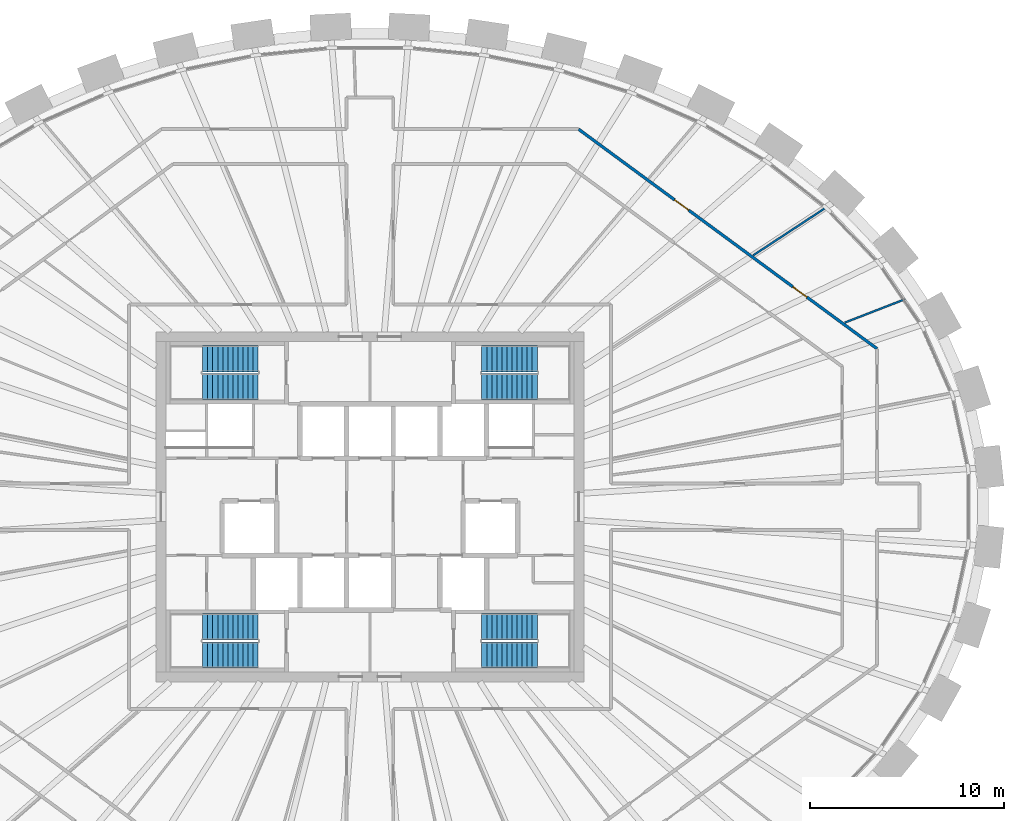
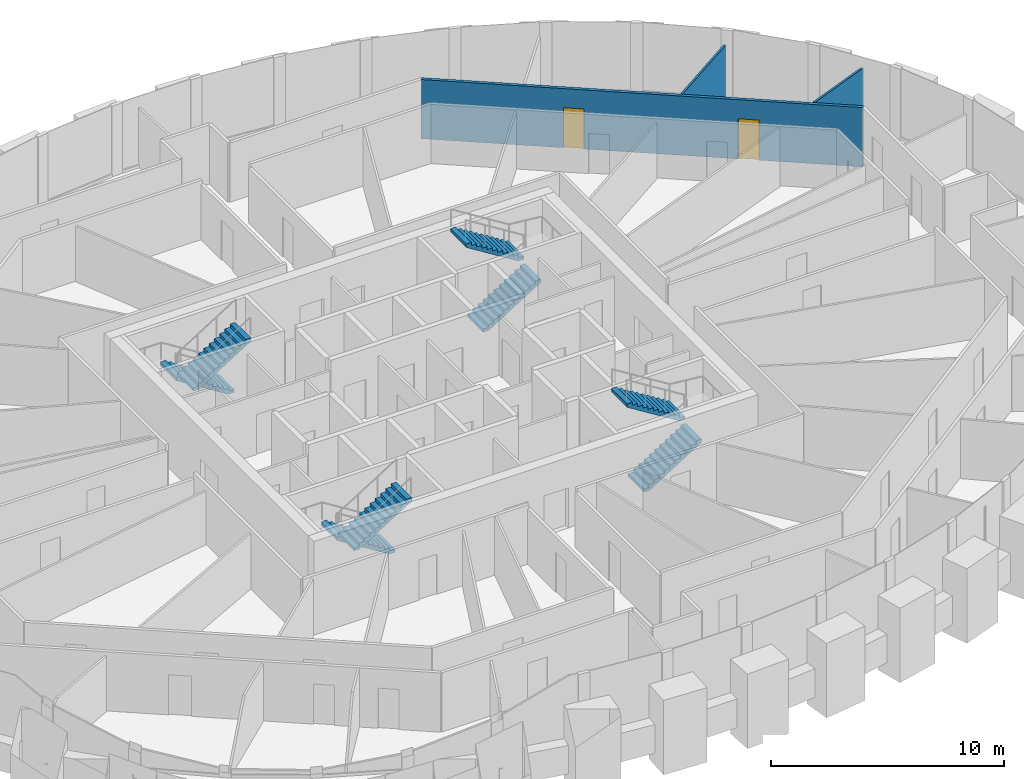
# One storey, part 11 of 12: 8 stair flights, 3 walls, 2 doors, 2 openings, 4 elements without a shape of their own.
"""IFC4 building model written with IfcOpenShell, lengths in metres."""

from ifc_helpers import new_model, si_unit, direction, frame, frame_2d, origin, place, context, subcontext, project, spatial, polyline, rectangle, outline, extrude, source, transform, mapped, material, layer, layer_set, type_object, element, fill, aggregate, save


model = new_model("IFC4")

# Units and contexts
model_context = context("Model", 3, precision=1e-05, world=origin(), true_north=direction((0.0, 1.0)))
body_context = subcontext(model_context, "Body", "Model", "MODEL_VIEW")
ifc_project = project(units=[si_unit("LENGTHUNIT", "METRE"), si_unit("AREAUNIT", "SQUARE_METRE"), si_unit("VOLUMEUNIT", "CUBIC_METRE"), si_unit("PLANEANGLEUNIT", "RADIAN"), si_unit("MASSUNIT", "GRAM", prefix="KILO")], contexts=[model_context])

# Site, building, storey
site_placement = place(None, origin())
site = spatial("IfcSite", under=ifc_project, at=site_placement, CompositionType="ELEMENT")
building_placement = place(site_placement, origin())
building = spatial("IfcBuilding", under=site, at=building_placement, Name="Embergate Tower", CompositionType="ELEMENT")
storey_placement = place(building_placement, frame((0.0, 0.0, 281.199951171875)))
storey = spatial("IfcBuildingStorey", under=building, at=storey_placement, Name="L65", CompositionType="ELEMENT", Elevation=281.199951171875)

# Wall, openings, doors
ifc_material_1 = material(Name="Corridor wall dry-lined 150 wet")
ifc_layer_1 = layer(ifc_material_1, 0.14990234375)
ifc_layer_set_1 = layer_set([ifc_layer_1], Name="Corridor wall dry-lined 150 wet")
wall_type_1 = type_object("IfcWallType", Name="Corridor wall dry-lined 150 wet", PredefinedType="PLUMBINGWALL", material=ifc_layer_set_1)
shared_shape_1 = source(origin(), body_context, "Body", "SweptSolid", [
    extrude(rectangle(XDim=19.072265625, YDim=0.14990234375, at=frame_2d((9.5361328125, 0.0))), origin(), (0.0, 0.0, 1.0), 3.10009765625),
])
wall_1_placement = place(storey_placement, frame((26.096923828125, 8.1298828125, 0.0), z_axis=(0.0, 0.0, 1.0), x_axis=(-0.805618847725, 0.592434192287, 0.0)))
wall_1 = element("IfcWall", 1, at=wall_1_placement, inside=storey, type_object=wall_type_1, Name="IP-2 wall", PredefinedType="PLUMBINGWALL", context=body_context, shape_type="MappedRepresentation", body=[
    mapped(shared_shape_1, transform((0.0, 0.0, 0.0))),
])
shared_shape_2 = source(origin(), body_context, "Body", "SweptSolid", [
    extrude(rectangle(XDim=0.89990234375, YDim=2.10009765625, at=frame_2d((0.449951171875, 1.050048828125))), frame((0.0, 0.0849609375, 0.0), z_axis=(0.0, -1.0, 0.0), x_axis=(1.0, 0.0, 0.0)), (0.0, 0.0, 1.0), 0.169921875),
])
opening_1_placement = place(wall_1_placement, frame((4.489990234375, 0.0, 0.0)))
opening_1 = element("IfcOpeningElement", 2, at=opening_1_placement, cuts=wall_1, Name="Opening IF-1c", PredefinedType="OPENING", context=body_context, shape_type="MappedRepresentation", body=[
    mapped(shared_shape_2, transform((0.0, 0.0, 0.0))),
])
opening_2_placement = place(wall_1_placement, frame((12.033447265625, 0.0, 0.0)))
opening_2 = element("IfcOpeningElement", 3, at=opening_2_placement, cuts=wall_1, Name="Opening IF-1c", PredefinedType="OPENING", context=body_context, shape_type="MappedRepresentation", body=[
    mapped(shared_shape_2, transform((0.0, 0.0, 0.0))),
])
ifc_material_2 = material(Name="Escape fire door 900")
door_type = type_object("IfcDoorType", Name="Escape fire door 900", OperationType="SINGLE_SWING_LEFT", PredefinedType="DOOR", material=ifc_material_2)
shared_shape_3 = source(origin(), body_context, "Body", "SweptSolid", [
    extrude(rectangle(XDim=0.89990234375, YDim=2.10009765625, at=frame_2d((0.449951171875, 1.050048828125))), frame((0.0, 0.02490234375, 0.0), z_axis=(0.0, -1.0, 0.0), x_axis=(1.0, 0.0, 0.0)), (0.0, 0.0, 1.0), 0.050048828125),
])
door_1_placement = place(opening_1_placement, origin())
door_1 = element("IfcDoor", 4, at=door_1_placement, inside=storey, type_object=door_type, Name="IF-1 door", OperationType="SINGLE_SWING_LEFT", OverallHeight=2.10009765625, OverallWidth=0.89990234375, PredefinedType="DOOR", context=body_context, shape_type="MappedRepresentation", body=[
    mapped(shared_shape_3, transform((0.0, 0.0, 0.0))),
])
fill(opening_1, door_1)
door_2_placement = place(opening_2_placement, origin())
door_2 = element("IfcDoor", 5, at=door_2_placement, inside=storey, type_object=door_type, Name="IF-1 door", OperationType="SINGLE_SWING_RIGHT", OverallHeight=2.10009765625, OverallWidth=0.89990234375, PredefinedType="DOOR", context=body_context, shape_type="MappedRepresentation", body=[
    mapped(shared_shape_3, transform((0.0, 0.0, 0.0))),
])
fill(opening_2, door_2)

# Walls
ifc_material_3 = material(Name="Partition dry-lined 100 wet")
ifc_layer_2 = layer(ifc_material_3, 0.10009765625)
ifc_layer_set_2 = layer_set([ifc_layer_2], Name="Partition dry-lined 100 wet")
wall_type_2 = type_object("IfcWallType", Name="Partition dry-lined 100 wet", PredefinedType="PLUMBINGWALL", material=ifc_layer_set_2)
shared_shape_4 = source(origin(), body_context, "Body", "SweptSolid", [
    extrude(rectangle(XDim=3.3251953125, YDim=0.10009765625, at=frame_2d((1.66259765625, 0.0))), origin(), (0.0, 0.0, 1.0), 3.10009765625),
])
wall_2_placement = place(storey_placement, frame((24.43310546875, 9.47998046875, 0.0), z_axis=(0.0, 0.0, 1.0), x_axis=(0.932245598187, 0.361826124901, 0.0)))
element("IfcWall", 6, at=wall_2_placement, inside=storey, type_object=wall_type_2, Name="IP-1 wall", PredefinedType="PLUMBINGWALL", context=body_context, shape_type="MappedRepresentation", body=[
    mapped(shared_shape_4, transform((0.0, 0.0, 0.0))),
])
shared_shape_5 = source(origin(), body_context, "Body", "SweptSolid", [
    extrude(rectangle(XDim=4.458740234375, YDim=0.10009765625, at=frame_2d((2.2294921875, 0.0))), origin(), (0.0, 0.0, 1.0), 2.900146484375),
])
wall_3_placement = place(storey_placement, frame((19.716064453125, 12.93798828125, 0.0), z_axis=(0.0, 0.0, 1.0), x_axis=(0.836096569639, 0.548582287572, 0.0)))
element("IfcWall", 7, at=wall_3_placement, inside=storey, type_object=wall_type_2, Name="IP-1 wall", PredefinedType="PLUMBINGWALL", context=body_context, shape_type="MappedRepresentation", body=[
    mapped(shared_shape_5, transform((0.0, 0.0, 0.0))),
])

# Stair, stair flights
ifc_material_4 = material(Name="Exit stair")
stair_type = type_object("IfcStairType", Name="Exit stair", PredefinedType="HALF_TURN_STAIR", material=ifc_material_4)
stair_1_placement = place(storey_placement, origin())
stair_1 = element("IfcStair", 8, at=stair_1_placement, inside=storey, type_object=stair_type, Name="L65 Exit stair 1", PredefinedType="HALF_TURN_STAIR")
ifc_material_5 = material(Name="Concrete C40", Category="concrete")
stair_flight_type = type_object("IfcStairFlightType", Name="Stair flight reinforced concrete", PredefinedType="STRAIGHT", material=ifc_material_5)
shared_shape_6 = source(origin(), body_context, "Body", "SweptSolid", [
    extrude(outline(polyline([(0.0, 0.0), (0.0, 0.16259765625), (0.260009765625, 0.16259765625), (0.260009765625, 0.324951171875), (0.52001953125, 0.324951171875), (0.52001953125, 0.487548828125), (0.780029296875, 0.487548828125), (0.780029296875, 0.64990234375), (1.0400390625, 0.64990234375), (1.0400390625, 0.8125), (1.300048828125, 0.8125), (1.300048828125, 0.97509765625), (1.56005859375, 0.97509765625), (1.56005859375, 1.137451171875), (1.820068359375, 1.137451171875), (1.820068359375, 1.300048828125), (2.080078125, 1.300048828125), (2.080078125, 1.46240234375), (2.340087890625, 1.46240234375), (2.340087890625, 1.625), (2.60009765625, 1.625), (2.60009765625, 1.78759765625), (2.860107421875, 1.78759765625), (2.860107421875, 1.949951171875), (2.860107421875, 1.61083984375), (0.28271484375, 0.0), (0.0, 0.0)])), frame((0.0, 0.675048828125, 0.0), z_axis=(0.0, -1.0, 0.0), x_axis=(1.0, 0.0, 0.0)), (0.0, 0.0, 1.0), 1.35009765625),
])
stair_flight_1_placement = place(storey_placement, frame((-5.75, 7.625, 0.0), z_axis=(0.0, 0.0, 1.0), x_axis=(-1.0, 0.0, 0.0)))
stair_flight_1 = element("IfcStairFlight", 9, at=stair_flight_1_placement, type_object=stair_flight_type, Name="ST1 flight 1", NumberOfRisers=12, NumberOfTreads=11, PredefinedType="STRAIGHT", RiserHeight=0.1625, TreadLength=0.26, context=body_context, shape_type="MappedRepresentation", body=[
    mapped(shared_shape_6, transform((0.0, 0.0, 0.0))),
])
stair_flight_2_placement = place(storey_placement, frame((-8.610107421875, 6.175048828125, 1.949951171875), z_axis=(0.0, 0.0, 1.0), x_axis=(1.0, 0.0, 0.0)))
stair_flight_2 = element("IfcStairFlight", 10, at=stair_flight_2_placement, type_object=stair_flight_type, Name="ST1 flight 2", NumberOfRisers=12, NumberOfTreads=11, PredefinedType="STRAIGHT", RiserHeight=0.1625, TreadLength=0.26, context=body_context, shape_type="MappedRepresentation", body=[
    mapped(shared_shape_6, transform((0.0, 0.0, 0.0))),
])
aggregate(stair_1, [stair_flight_1, stair_flight_2])

stair_2_placement = place(storey_placement, origin())
stair_2 = element("IfcStair", 11, at=stair_2_placement, inside=storey, type_object=stair_type, Name="L65 Exit stair 2", PredefinedType="HALF_TURN_STAIR")
stair_flight_3_placement = place(storey_placement, frame((5.75, 6.175048828125, 0.0), z_axis=(0.0, 0.0, 1.0), x_axis=(1.0, 0.0, 0.0)))
stair_flight_3 = element("IfcStairFlight", 12, at=stair_flight_3_placement, type_object=stair_flight_type, Name="ST2 flight 1", NumberOfRisers=12, NumberOfTreads=11, PredefinedType="STRAIGHT", RiserHeight=0.1625, TreadLength=0.26, context=body_context, shape_type="MappedRepresentation", body=[
    mapped(shared_shape_6, transform((0.0, 0.0, 0.0))),
])
stair_flight_4_placement = place(storey_placement, frame((8.610107421875, 7.625, 1.949951171875), z_axis=(0.0, 0.0, 1.0), x_axis=(-1.0, 0.0, 0.0)))
stair_flight_4 = element("IfcStairFlight", 13, at=stair_flight_4_placement, type_object=stair_flight_type, Name="ST2 flight 2", NumberOfRisers=12, NumberOfTreads=11, PredefinedType="STRAIGHT", RiserHeight=0.1625, TreadLength=0.26, context=body_context, shape_type="MappedRepresentation", body=[
    mapped(shared_shape_6, transform((0.0, 0.0, 0.0))),
])
aggregate(stair_2, [stair_flight_3, stair_flight_4])

stair_3_placement = place(storey_placement, origin())
stair_3 = element("IfcStair", 14, at=stair_3_placement, inside=storey, type_object=stair_type, Name="L65 Exit stair 3", PredefinedType="HALF_TURN_STAIR")
stair_flight_5_placement = place(storey_placement, frame((-5.75, -6.175048828125, 0.0), z_axis=(0.0, 0.0, 1.0), x_axis=(-1.0, 0.0, 0.0)))
stair_flight_5 = element("IfcStairFlight", 15, at=stair_flight_5_placement, type_object=stair_flight_type, Name="ST3 flight 1", NumberOfRisers=12, NumberOfTreads=11, PredefinedType="STRAIGHT", RiserHeight=0.1625, TreadLength=0.26, context=body_context, shape_type="MappedRepresentation", body=[
    mapped(shared_shape_6, transform((0.0, 0.0, 0.0))),
])
stair_flight_6_placement = place(storey_placement, frame((-8.610107421875, -7.625, 1.949951171875), z_axis=(0.0, 0.0, 1.0), x_axis=(1.0, 0.0, 0.0)))
stair_flight_6 = element("IfcStairFlight", 16, at=stair_flight_6_placement, type_object=stair_flight_type, Name="ST3 flight 2", NumberOfRisers=12, NumberOfTreads=11, PredefinedType="STRAIGHT", RiserHeight=0.1625, TreadLength=0.26, context=body_context, shape_type="MappedRepresentation", body=[
    mapped(shared_shape_6, transform((0.0, 0.0, 0.0))),
])
aggregate(stair_3, [stair_flight_5, stair_flight_6])

stair_4_placement = place(storey_placement, origin())
stair_4 = element("IfcStair", 17, at=stair_4_placement, inside=storey, type_object=stair_type, Name="L65 Exit stair 4", PredefinedType="HALF_TURN_STAIR")
stair_flight_7_placement = place(storey_placement, frame((5.75, -7.625, 0.0), z_axis=(0.0, 0.0, 1.0), x_axis=(1.0, 0.0, 0.0)))
stair_flight_7 = element("IfcStairFlight", 18, at=stair_flight_7_placement, type_object=stair_flight_type, Name="ST4 flight 1", NumberOfRisers=12, NumberOfTreads=11, PredefinedType="STRAIGHT", RiserHeight=0.1625, TreadLength=0.26, context=body_context, shape_type="MappedRepresentation", body=[
    mapped(shared_shape_6, transform((0.0, 0.0, 0.0))),
])
stair_flight_8_placement = place(storey_placement, frame((8.610107421875, -6.175048828125, 1.949951171875), z_axis=(0.0, 0.0, 1.0), x_axis=(-1.0, 0.0, 0.0)))
stair_flight_8 = element("IfcStairFlight", 19, at=stair_flight_8_placement, type_object=stair_flight_type, Name="ST4 flight 2", NumberOfRisers=12, NumberOfTreads=11, PredefinedType="STRAIGHT", RiserHeight=0.1625, TreadLength=0.26, context=body_context, shape_type="MappedRepresentation", body=[
    mapped(shared_shape_6, transform((0.0, 0.0, 0.0))),
])
aggregate(stair_4, [stair_flight_7, stair_flight_8])

save(model, "model.ifc")
